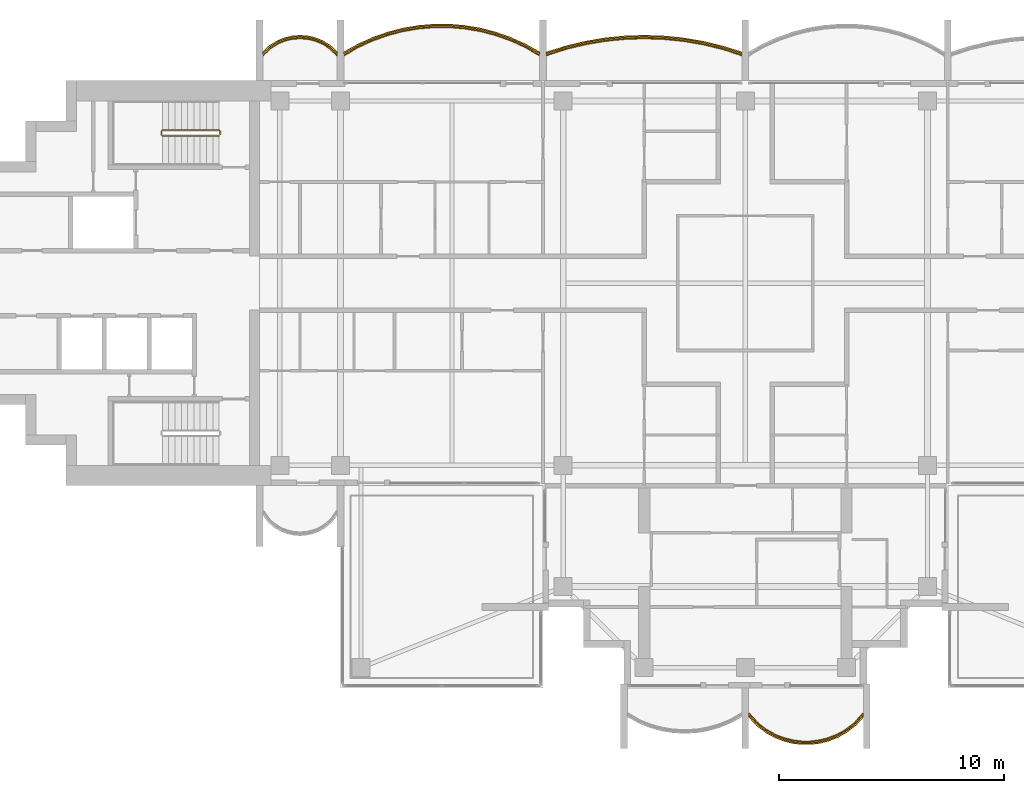
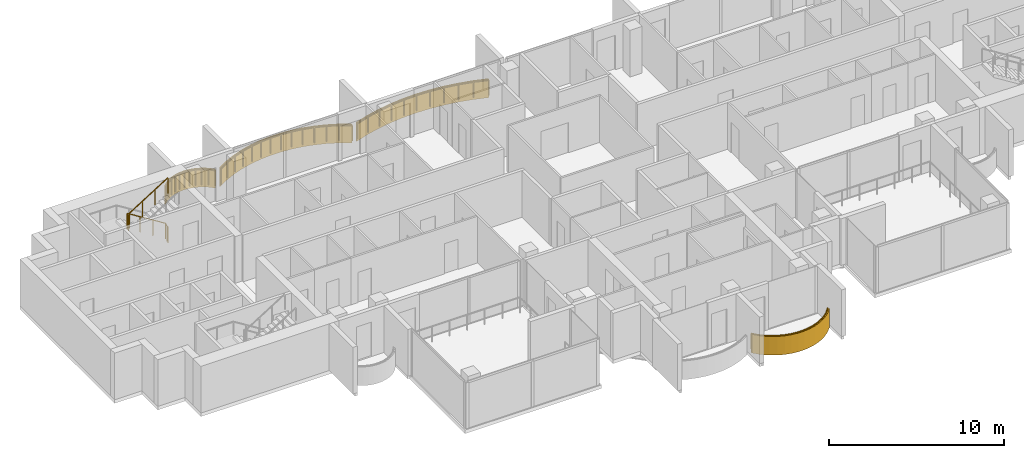
# One storey, part 14 of 16: 5 railings, 4 coverings.
"""IFC4 building model written with IfcOpenShell, lengths in metres."""

from ifc_helpers import new_model, si_unit, direction, frame, origin, origin_2d, place, context, subcontext, project, spatial, polyline, rectangle, outline, extrude, material, layer, layer_set, type_object, element, save


model = new_model("IFC4")

# Units and contexts
model_context = context("Model", 3, precision=1e-05, world=origin(), true_north=direction((0.0, 1.0)))
body_context = subcontext(model_context, "Body", "Model", "MODEL_VIEW")
ifc_project = project(units=[si_unit("LENGTHUNIT", "METRE"), si_unit("AREAUNIT", "SQUARE_METRE"), si_unit("VOLUMEUNIT", "CUBIC_METRE"), si_unit("PLANEANGLEUNIT", "RADIAN"), si_unit("MASSUNIT", "GRAM", prefix="KILO")], contexts=[model_context])

# Site, building, storey
site_placement = place(None, origin())
site = spatial("IfcSite", under=ifc_project, at=site_placement, CompositionType="ELEMENT")
building_placement = place(site_placement, origin())
building = spatial("IfcBuilding", under=site, at=building_placement, Name="Perihelion Cross Residences", CompositionType="ELEMENT")
storey_placement = place(building_placement, frame((0.0, 0.0, 236.0)))
storey = spatial("IfcBuildingStorey", under=building, at=storey_placement, Name="L59", CompositionType="ELEMENT", Elevation=236.0)

# Coverings
ifc_material_1 = material(Name="Bronze anodised aluminium", Category="aluminium")
ifc_layer = layer(ifc_material_1, 0.070068359375)
ifc_layer_set = layer_set([ifc_layer], Name="Balcony fascia 1300")
covering_type = type_object("IfcCoveringType", Name="Balcony fascia 1300", PredefinedType="CLADDING", material=ifc_layer_set)
covering_1_placement = place(storey_placement, frame((0.0, 0.0, -0.199951171875)))
element("IfcCovering", 1, at=covering_1_placement, inside=storey, type_object=covering_type, Name="Fascia BF1 L59 north side east bay 2", PredefinedType="CLADDING", context=body_context, shape_type="SweptSolid", body=[
    extrude(outline(polyline([(-1.001220703125, 10.542724609375), (-1.8759765625, 10.753662109375), (-2.750732421875, 10.90234375), (-3.625244140625, 10.99072265625), (-4.5, 11.02001953125), (-5.374755859375, 10.99072265625), (-6.249267578125, 10.90234375), (-7.1240234375, 10.753662109375), (-7.998779296875, 10.542724609375), (-8.85009765625, 10.2734375), (-8.85009765625, 10.199951171875), (-7.97998046875, 10.47509765625), (-7.110107421875, 10.68505859375), (-6.239990234375, 10.8330078125), (-5.3701171875, 10.9208984375), (-4.5, 10.949951171875), (-3.6298828125, 10.9208984375), (-2.760009765625, 10.8330078125), (-1.889892578125, 10.68505859375), (-1.02001953125, 10.47509765625), (-0.14990234375, 10.199951171875), (-0.14990234375, 10.2734375), (-1.001220703125, 10.542724609375)])), origin(), (0.0, 0.0, 1.0), 1.300048828125),
])
covering_2_placement = place(storey_placement, frame((0.0, 0.0, -0.199951171875)))
element("IfcCovering", 2, at=covering_2_placement, inside=storey, type_object=covering_type, Name="Fascia BF1 L59 west side north bay 1", PredefinedType="CLADDING", context=body_context, shape_type="SweptSolid", body=[
    extrude(outline(polyline([(-9.787841796875, 10.63916015625), (-10.462646484375, 10.941650390625), (-11.1376953125, 11.175048828125), (-11.8125, 11.345947265625), (-12.487548828125, 11.457763671875), (-13.16259765625, 11.51318359375), (-13.83740234375, 11.51318359375), (-14.512451171875, 11.457763671875), (-15.1875, 11.345947265625), (-15.8623046875, 11.175048828125), (-16.537353515625, 10.941650390625), (-17.212158203125, 10.63916015625), (-17.85009765625, 10.2802734375), (-17.85009765625, 10.199951171875), (-17.1806640625, 10.57666015625), (-16.511474609375, 10.87646484375), (-15.84228515625, 11.108154296875), (-15.173095703125, 11.27734375), (-14.50390625, 11.38818359375), (-13.834716796875, 11.443115234375), (-13.165283203125, 11.443115234375), (-12.49609375, 11.38818359375), (-11.826904296875, 11.27734375), (-11.15771484375, 11.108154296875), (-10.488525390625, 10.87646484375), (-9.8193359375, 10.57666015625), (-9.14990234375, 10.199951171875), (-9.14990234375, 10.2802734375), (-9.787841796875, 10.63916015625)])), origin(), (0.0, 0.0, 1.0), 1.300048828125),
])
covering_3_placement = place(storey_placement, frame((0.0, 0.0, -0.199951171875)))
element("IfcCovering", 3, at=covering_3_placement, inside=storey, type_object=covering_type, Name="Fascia BF1 L59 west side north bay 2", PredefinedType="CLADDING", context=body_context, shape_type="SweptSolid", body=[
    extrude(outline(polyline([(-18.4375, 10.56298828125), (-18.778076171875, 10.77587890625), (-19.11865234375, 10.914794921875), (-19.45947265625, 10.994140625), (-19.800048828125, 11.02001953125), (-20.140625, 10.994140625), (-20.481201171875, 10.914794921875), (-20.82177734375, 10.77587890625), (-21.16259765625, 10.56298828125), (-21.449951171875, 10.295654296875), (-21.449951171875, 10.199951171875), (-21.1201171875, 10.507568359375), (-20.7900390625, 10.71337890625), (-20.4599609375, 10.84814453125), (-20.1298828125, 10.925048828125), (-19.800048828125, 10.949951171875), (-19.469970703125, 10.925048828125), (-19.139892578125, 10.84814453125), (-18.81005859375, 10.71337890625), (-18.47998046875, 10.507568359375), (-18.14990234375, 10.199951171875), (-18.14990234375, 10.295654296875), (-18.4375, 10.56298828125)])), origin(), (0.0, 0.0, 1.0), 1.300048828125),
])
covering_4_placement = place(storey_placement, frame((0.0, 0.0, -0.199951171875)))
element("IfcCovering", 4, at=covering_4_placement, inside=storey, type_object=covering_type, Name="Fascia BF1 L59 south tip south bay 2", PredefinedType="CLADDING", context=body_context, shape_type="SweptSolid", body=[
    extrude(outline(polyline([(0.4951171875, -19.674072265625), (0.89599609375, -19.982666015625), (1.296875, -20.20654296875), (1.69775390625, -20.364013671875), (2.0986328125, -20.464599609375), (2.49951171875, -20.513916015625), (2.900390625, -20.513916015625), (3.30126953125, -20.464599609375), (3.7021484375, -20.364013671875), (4.10302734375, -20.20654296875), (4.50390625, -19.982666015625), (4.90478515625, -19.674072265625), (5.25, -19.302734375), (5.25, -19.199951171875), (4.857666015625, -19.622314453125), (4.46533203125, -19.924072265625), (4.072998046875, -20.143310546875), (3.6806640625, -20.29736328125), (3.28857421875, -20.39599609375), (2.896240234375, -20.444091796875), (2.50390625, -20.444091796875), (2.111572265625, -20.39599609375), (1.71923828125, -20.29736328125), (1.326904296875, -20.143310546875), (0.9345703125, -19.924072265625), (0.542236328125, -19.622314453125), (0.14990234375, -19.199951171875), (0.14990234375, -19.302734375), (0.4951171875, -19.674072265625)])), origin(), (0.0, 0.0, 1.0), 1.300048828125),
])

# Railings
ifc_material_2 = material(Name="Bronze anodised aluminium", Category="aluminium")
railing_type_1 = type_object("IfcRailingType", Name="Balcony guard 1100", PredefinedType="GUARDRAIL", material=ifc_material_2)
railing_1_placement = place(storey_placement, frame((-0.175048828125, 10.139892578125, 0.0)))
element("IfcRailing", 5, at=railing_1_placement, inside=storey, type_object=railing_type_1, Name="Guard GU1 L59 north side east bay 2 balcony", PredefinedType="GUARDRAIL", context=body_context, shape_type="SweptSolid", body=[
    extrude(rectangle(XDim=0.048095703125, YDim=0.048095703125, at=origin_2d()), frame((0.0, 0.0, 1.076171875), z_axis=(-0.950777354264, 0.30987484993, 0.0), x_axis=(-0.30987484993, -0.950777354264, 0.0)), (0.0, 0.0, 1.0), 0.888671875),
    extrude(rectangle(XDim=0.048095703125, YDim=0.048095703125, at=origin_2d()), frame((-0.844970703125, 0.275390625, 1.076171875), z_axis=(-0.972146551129, 0.234373810671, 0.0), x_axis=(-0.234373810671, -0.972146551129, 0.0)), (0.0, 0.0, 1.0), 0.894775390625),
    extrude(rectangle(XDim=0.048095703125, YDim=0.048095703125, at=origin_2d()), frame((-1.71484375, 0.485107421875, 1.076171875), z_axis=(-0.985850361727, 0.167627755108, 0.0), x_axis=(-0.167627755108, -0.985850361727, 0.0)), (0.0, 0.0, 1.0), 0.882568359375),
    extrude(rectangle(XDim=0.048095703125, YDim=0.048095703125, at=origin_2d()), frame((-2.5849609375, 0.633056640625, 1.076171875), z_axis=(-0.994934368303, 0.100526627165, 0.0), x_axis=(-0.100526627165, -0.994934368303, 0.0)), (0.0, 0.0, 1.0), 0.874267578125),
    extrude(rectangle(XDim=0.048095703125, YDim=0.048095703125, at=origin_2d()), frame((-3.454833984375, 0.720947265625, 1.076171875), z_axis=(-0.999443037968, 0.0333708534, 0.0), x_axis=(-0.0333708534, -0.999443037968, 0.0)), (0.0, 0.0, 1.0), 0.87060546875),
    extrude(rectangle(XDim=0.048095703125, YDim=0.048095703125, at=origin_2d()), frame((-4.324951171875, 0.75, 1.076171875), z_axis=(-0.999443037968, -0.0333708534, 0.0), x_axis=(0.0333708534, -0.999443037968, 0.0)), (0.0, 0.0, 1.0), 0.87060546875),
    extrude(rectangle(XDim=0.048095703125, YDim=0.048095703125, at=origin_2d()), frame((-5.195068359375, 0.720947265625, 1.076171875), z_axis=(-0.994934368303, -0.100526627165, 0.0), x_axis=(0.100526627165, -0.994934368303, 0.0)), (0.0, 0.0, 1.0), 0.874267578125),
    extrude(rectangle(XDim=0.048095703125, YDim=0.048095703125, at=origin_2d()), frame((-6.06494140625, 0.633056640625, 1.076171875), z_axis=(-0.985850361727, -0.167627755108, 0.0), x_axis=(0.167627755108, -0.985850361727, 0.0)), (0.0, 0.0, 1.0), 0.882568359375),
    extrude(rectangle(XDim=0.048095703125, YDim=0.048095703125, at=origin_2d()), frame((-6.93505859375, 0.485107421875, 1.076171875), z_axis=(-0.972146551129, -0.234373810671, 0.0), x_axis=(0.234373810671, -0.972146551129, 0.0)), (0.0, 0.0, 1.0), 0.894775390625),
    extrude(rectangle(XDim=0.048095703125, YDim=0.048095703125, at=origin_2d()), frame((-7.804931640625, 0.275390625, 1.076171875), z_axis=(-0.950777354264, -0.30987484993, 0.0), x_axis=(0.30987484993, -0.950777354264, 0.0)), (0.0, 0.0, 1.0), 0.888671875),
    extrude(rectangle(XDim=0.0419921875, YDim=0.0419921875, at=origin_2d()), origin(), (0.0, 0.0, 1.0), 1.052001953125),
    extrude(rectangle(XDim=0.0419921875, YDim=0.0419921875, at=origin_2d()), frame((-0.844970703125, 0.275390625, 0.0)), (0.0, 0.0, 1.0), 1.052001953125),
    extrude(rectangle(XDim=0.0419921875, YDim=0.0419921875, at=origin_2d()), frame((-1.71484375, 0.485107421875, 0.0)), (0.0, 0.0, 1.0), 1.052001953125),
    extrude(rectangle(XDim=0.0419921875, YDim=0.0419921875, at=origin_2d()), frame((-2.5849609375, 0.633056640625, 0.0)), (0.0, 0.0, 1.0), 1.052001953125),
    extrude(rectangle(XDim=0.0419921875, YDim=0.0419921875, at=origin_2d()), frame((-3.454833984375, 0.720947265625, 0.0)), (0.0, 0.0, 1.0), 1.052001953125),
    extrude(rectangle(XDim=0.0419921875, YDim=0.0419921875, at=origin_2d()), frame((-4.324951171875, 0.75, 0.0)), (0.0, 0.0, 1.0), 1.052001953125),
    extrude(rectangle(XDim=0.0419921875, YDim=0.0419921875, at=origin_2d()), frame((-5.195068359375, 0.720947265625, 0.0)), (0.0, 0.0, 1.0), 1.052001953125),
    extrude(rectangle(XDim=0.0419921875, YDim=0.0419921875, at=origin_2d()), frame((-6.06494140625, 0.633056640625, 0.0)), (0.0, 0.0, 1.0), 1.052001953125),
    extrude(rectangle(XDim=0.0419921875, YDim=0.0419921875, at=origin_2d()), frame((-6.93505859375, 0.485107421875, 0.0)), (0.0, 0.0, 1.0), 1.052001953125),
    extrude(rectangle(XDim=0.0419921875, YDim=0.0419921875, at=origin_2d()), frame((-7.804931640625, 0.275390625, 0.0)), (0.0, 0.0, 1.0), 1.052001953125),
    extrude(rectangle(XDim=0.0419921875, YDim=0.0419921875, at=origin_2d()), frame((-8.64990234375, 0.0, 0.0)), (0.0, 0.0, 1.0), 1.052001953125),
])
railing_2_placement = place(storey_placement, frame((-9.175048828125, 10.139892578125, 0.0)))
element("IfcRailing", 6, at=railing_2_placement, inside=storey, type_object=railing_type_1, Name="Guard GU1 L59 west side north bay 1 balcony", PredefinedType="GUARDRAIL", context=body_context, shape_type="SweptSolid", body=[
    extrude(rectangle(XDim=0.048095703125, YDim=0.048095703125, at=origin_2d()), frame((0.0, 0.0, 1.076171875), z_axis=(-0.863125740505, 0.504989065305, 0.0), x_axis=(-0.504989065305, -0.863125740505, 0.0)), (0.0, 0.0, 1.0), 0.746337890625),
    extrude(rectangle(XDim=0.048095703125, YDim=0.048095703125, at=origin_2d()), frame((-0.644287109375, 0.376953125, 1.076171875), z_axis=(-0.912723499295, 0.408577794103, 0.0), x_axis=(-0.408577794103, -0.912723499295, 0.0)), (0.0, 0.0, 1.0), 0.733154296875),
    extrude(rectangle(XDim=0.048095703125, YDim=0.048095703125, at=origin_2d()), frame((-1.3134765625, 0.676513671875, 1.076171875), z_axis=(-0.944965577734, 0.327169767701, 0.0), x_axis=(-0.327169767701, -0.944965577734, 0.0)), (0.0, 0.0, 1.0), 0.708251953125),
    extrude(rectangle(XDim=0.048095703125, YDim=0.048095703125, at=origin_2d()), frame((-1.982666015625, 0.908203125, 1.076171875), z_axis=(-0.96949408574, 0.245114703181, 0.0), x_axis=(-0.245114703181, -0.96949408574, 0.0)), (0.0, 0.0, 1.0), 0.690185546875),
    extrude(rectangle(XDim=0.048095703125, YDim=0.048095703125, at=origin_2d()), frame((-2.65185546875, 1.077392578125, 1.076171875), z_axis=(-0.986500713816, 0.163756959061, 0.0), x_axis=(-0.163756959061, -0.986500713816, 0.0)), (0.0, 0.0, 1.0), 0.678466796875),
    extrude(rectangle(XDim=0.048095703125, YDim=0.048095703125, at=origin_2d()), frame((-3.321044921875, 1.1884765625, 1.076171875), z_axis=(-0.996677390684, 0.081450468994, 0.0), x_axis=(-0.081450468994, -0.996677390684, 0.0)), (0.0, 0.0, 1.0), 0.67138671875),
    extrude(rectangle(XDim=0.048095703125, YDim=0.048095703125, at=origin_2d()), frame((-3.990234375, 1.2431640625, 1.076171875), z_axis=(-1.0, 0.0, 0.0), x_axis=(0.0, -1.0, 0.0)), (0.0, 0.0, 1.0), 0.66943359375),
    extrude(rectangle(XDim=0.048095703125, YDim=0.048095703125, at=origin_2d()), frame((-4.65966796875, 1.2431640625, 1.076171875), z_axis=(-0.996677390684, -0.081450468994, 0.0), x_axis=(0.081450468994, -0.996677390684, 0.0)), (0.0, 0.0, 1.0), 0.67138671875),
    extrude(rectangle(XDim=0.048095703125, YDim=0.048095703125, at=origin_2d()), frame((-5.328857421875, 1.1884765625, 1.076171875), z_axis=(-0.986500713816, -0.163756959061, 0.0), x_axis=(0.163756959061, -0.986500713816, 0.0)), (0.0, 0.0, 1.0), 0.678466796875),
    extrude(rectangle(XDim=0.048095703125, YDim=0.048095703125, at=origin_2d()), frame((-5.998046875, 1.077392578125, 1.076171875), z_axis=(-0.96949408574, -0.245114703181, 0.0), x_axis=(0.245114703181, -0.96949408574, 0.0)), (0.0, 0.0, 1.0), 0.690185546875),
    extrude(rectangle(XDim=0.048095703125, YDim=0.048095703125, at=origin_2d()), frame((-6.667236328125, 0.908203125, 1.076171875), z_axis=(-0.944965577734, -0.327169767701, 0.0), x_axis=(0.327169767701, -0.944965577734, 0.0)), (0.0, 0.0, 1.0), 0.708251953125),
    extrude(rectangle(XDim=0.048095703125, YDim=0.048095703125, at=origin_2d()), frame((-7.33642578125, 0.676513671875, 1.076171875), z_axis=(-0.912723499295, -0.408577794103, 0.0), x_axis=(0.408577794103, -0.912723499295, 0.0)), (0.0, 0.0, 1.0), 0.733154296875),
    extrude(rectangle(XDim=0.048095703125, YDim=0.048095703125, at=origin_2d()), frame((-8.005615234375, 0.376953125, 1.076171875), z_axis=(-0.863125740505, -0.504989065305, 0.0), x_axis=(0.504989065305, -0.863125740505, 0.0)), (0.0, 0.0, 1.0), 0.746337890625),
    extrude(rectangle(XDim=0.0419921875, YDim=0.0419921875, at=origin_2d()), origin(), (0.0, 0.0, 1.0), 1.052001953125),
    extrude(rectangle(XDim=0.0419921875, YDim=0.0419921875, at=origin_2d()), frame((-0.644287109375, 0.376953125, 0.0)), (0.0, 0.0, 1.0), 1.052001953125),
    extrude(rectangle(XDim=0.0419921875, YDim=0.0419921875, at=origin_2d()), frame((-1.3134765625, 0.676513671875, 0.0)), (0.0, 0.0, 1.0), 1.052001953125),
    extrude(rectangle(XDim=0.0419921875, YDim=0.0419921875, at=origin_2d()), frame((-1.982666015625, 0.908203125, 0.0)), (0.0, 0.0, 1.0), 1.052001953125),
    extrude(rectangle(XDim=0.0419921875, YDim=0.0419921875, at=origin_2d()), frame((-2.65185546875, 1.077392578125, 0.0)), (0.0, 0.0, 1.0), 1.052001953125),
    extrude(rectangle(XDim=0.0419921875, YDim=0.0419921875, at=origin_2d()), frame((-3.321044921875, 1.1884765625, 0.0)), (0.0, 0.0, 1.0), 1.052001953125),
    extrude(rectangle(XDim=0.0419921875, YDim=0.0419921875, at=origin_2d()), frame((-3.990234375, 1.2431640625, 0.0)), (0.0, 0.0, 1.0), 1.052001953125),
    extrude(rectangle(XDim=0.0419921875, YDim=0.0419921875, at=origin_2d()), frame((-4.65966796875, 1.2431640625, 0.0)), (0.0, 0.0, 1.0), 1.052001953125),
    extrude(rectangle(XDim=0.0419921875, YDim=0.0419921875, at=origin_2d()), frame((-5.328857421875, 1.1884765625, 0.0)), (0.0, 0.0, 1.0), 1.052001953125),
    extrude(rectangle(XDim=0.0419921875, YDim=0.0419921875, at=origin_2d()), frame((-5.998046875, 1.077392578125, 0.0)), (0.0, 0.0, 1.0), 1.052001953125),
    extrude(rectangle(XDim=0.0419921875, YDim=0.0419921875, at=origin_2d()), frame((-6.667236328125, 0.908203125, 0.0)), (0.0, 0.0, 1.0), 1.052001953125),
    extrude(rectangle(XDim=0.0419921875, YDim=0.0419921875, at=origin_2d()), frame((-7.33642578125, 0.676513671875, 0.0)), (0.0, 0.0, 1.0), 1.052001953125),
    extrude(rectangle(XDim=0.0419921875, YDim=0.0419921875, at=origin_2d()), frame((-8.005615234375, 0.376953125, 0.0)), (0.0, 0.0, 1.0), 1.052001953125),
    extrude(rectangle(XDim=0.0419921875, YDim=0.0419921875, at=origin_2d()), frame((-8.64990234375, 0.0, 0.0)), (0.0, 0.0, 1.0), 1.052001953125),
])
railing_3_placement = place(storey_placement, frame((-18.175048828125, 10.139892578125, 0.0)))
element("IfcRailing", 7, at=railing_3_placement, inside=storey, type_object=railing_type_1, Name="Guard GU1 L59 west side north bay 2 balcony", PredefinedType="GUARDRAIL", context=body_context, shape_type="SweptSolid", body=[
    extrude(rectangle(XDim=0.048095703125, YDim=0.048095703125, at=origin_2d()), frame((0.0, 0.0, 1.076171875), z_axis=(-0.703999905859, 0.710200065158, 0.0), x_axis=(-0.710200065158, -0.703999905859, 0.0)), (0.0, 0.0, 1.0), 0.43310546875),
    extrude(rectangle(XDim=0.048095703125, YDim=0.048095703125, at=origin_2d()), frame((-0.304931640625, 0.3076171875, 1.076171875), z_axis=(-0.848280173265, 0.529547682127, 0.0), x_axis=(-0.529547682127, -0.848280173265, 0.0)), (0.0, 0.0, 1.0), 0.38916015625),
    extrude(rectangle(XDim=0.048095703125, YDim=0.048095703125, at=origin_2d()), frame((-0.635009765625, 0.513671875, 1.076171875), z_axis=(-0.925950379976, 0.377645195682, 0.0), x_axis=(-0.377645195682, -0.925950379976, 0.0)), (0.0, 0.0, 1.0), 0.356201171875),
    extrude(rectangle(XDim=0.048095703125, YDim=0.048095703125, at=origin_2d()), frame((-0.96484375, 0.648193359375, 1.076171875), z_axis=(-0.97391554583, 0.226910796551, 0.0), x_axis=(-0.226910796551, -0.97391554583, 0.0)), (0.0, 0.0, 1.0), 0.3388671875),
    extrude(rectangle(XDim=0.048095703125, YDim=0.048095703125, at=origin_2d()), frame((-1.294921875, 0.72509765625, 1.076171875), z_axis=(-0.997166208737, 0.075229995038, 0.0), x_axis=(-0.075229995038, -0.997166208737, 0.0)), (0.0, 0.0, 1.0), 0.3310546875),
    extrude(rectangle(XDim=0.048095703125, YDim=0.048095703125, at=origin_2d()), frame((-1.625, 0.75, 1.076171875), z_axis=(-0.997162029931, -0.075285364214, 0.0), x_axis=(0.075285364214, -0.997162029931, 0.0)), (0.0, 0.0, 1.0), 0.330810546875),
    extrude(rectangle(XDim=0.048095703125, YDim=0.048095703125, at=origin_2d()), frame((-1.954833984375, 0.72509765625, 1.076171875), z_axis=(-0.97391554583, -0.226910796551, 0.0), x_axis=(0.226910796551, -0.97391554583, 0.0)), (0.0, 0.0, 1.0), 0.3388671875),
    extrude(rectangle(XDim=0.048095703125, YDim=0.048095703125, at=origin_2d()), frame((-2.284912109375, 0.648193359375, 1.076171875), z_axis=(-0.926048033295, -0.377405670374, 0.0), x_axis=(0.377405670374, -0.926048033295, 0.0)), (0.0, 0.0, 1.0), 0.3564453125),
    extrude(rectangle(XDim=0.048095703125, YDim=0.048095703125, at=origin_2d()), frame((-2.614990234375, 0.513671875, 1.076171875), z_axis=(-0.848280173265, -0.529547682127, 0.0), x_axis=(0.529547682127, -0.848280173265, 0.0)), (0.0, 0.0, 1.0), 0.38916015625),
    extrude(rectangle(XDim=0.048095703125, YDim=0.048095703125, at=origin_2d()), frame((-2.945068359375, 0.3076171875, 1.076171875), z_axis=(-0.703999905859, -0.710200065158, 0.0), x_axis=(0.710200065158, -0.703999905859, 0.0)), (0.0, 0.0, 1.0), 0.43310546875),
    extrude(rectangle(XDim=0.0419921875, YDim=0.0419921875, at=origin_2d()), origin(), (0.0, 0.0, 1.0), 1.052001953125),
    extrude(rectangle(XDim=0.0419921875, YDim=0.0419921875, at=origin_2d()), frame((-0.304931640625, 0.3076171875, 0.0)), (0.0, 0.0, 1.0), 1.052001953125),
    extrude(rectangle(XDim=0.0419921875, YDim=0.0419921875, at=origin_2d()), frame((-0.635009765625, 0.513671875, 0.0)), (0.0, 0.0, 1.0), 1.052001953125),
    extrude(rectangle(XDim=0.0419921875, YDim=0.0419921875, at=origin_2d()), frame((-0.96484375, 0.648193359375, 0.0)), (0.0, 0.0, 1.0), 1.052001953125),
    extrude(rectangle(XDim=0.0419921875, YDim=0.0419921875, at=origin_2d()), frame((-1.294921875, 0.72509765625, 0.0)), (0.0, 0.0, 1.0), 1.052001953125),
    extrude(rectangle(XDim=0.0419921875, YDim=0.0419921875, at=origin_2d()), frame((-1.625, 0.75, 0.0)), (0.0, 0.0, 1.0), 1.052001953125),
    extrude(rectangle(XDim=0.0419921875, YDim=0.0419921875, at=origin_2d()), frame((-1.954833984375, 0.72509765625, 0.0)), (0.0, 0.0, 1.0), 1.052001953125),
    extrude(rectangle(XDim=0.0419921875, YDim=0.0419921875, at=origin_2d()), frame((-2.284912109375, 0.648193359375, 0.0)), (0.0, 0.0, 1.0), 1.052001953125),
    extrude(rectangle(XDim=0.0419921875, YDim=0.0419921875, at=origin_2d()), frame((-2.614990234375, 0.513671875, 0.0)), (0.0, 0.0, 1.0), 1.052001953125),
    extrude(rectangle(XDim=0.0419921875, YDim=0.0419921875, at=origin_2d()), frame((-2.945068359375, 0.3076171875, 0.0)), (0.0, 0.0, 1.0), 1.052001953125),
    extrude(rectangle(XDim=0.0419921875, YDim=0.0419921875, at=origin_2d()), frame((-3.25, 0.0, 0.0)), (0.0, 0.0, 1.0), 1.052001953125),
])
railing_4_placement = place(storey_placement, frame((0.175048828125, -19.139892578125, 0.0)))
element("IfcRailing", 8, at=railing_4_placement, inside=storey, type_object=railing_type_1, Name="Guard GU1 L59 south tip south bay 2 balcony", PredefinedType="GUARDRAIL", context=body_context, shape_type="SweptSolid", body=[
    extrude(rectangle(XDim=0.048095703125, YDim=0.048095703125, at=origin_2d()), frame((0.0, 0.0, 1.076171875), z_axis=(0.656092309534, -0.754680648599, 0.0), x_axis=(0.754680648599, 0.656092309534, 0.0)), (0.0, 0.0, 1.0), 0.5595703125),
    extrude(rectangle(XDim=0.048095703125, YDim=0.048095703125, at=origin_2d()), frame((0.3671875, -0.42236328125, 1.076171875), z_axis=(0.792660660899, -0.60966308455, 0.0), x_axis=(0.60966308455, 0.792660660899, 0.0)), (0.0, 0.0, 1.0), 0.494873046875),
    extrude(rectangle(XDim=0.048095703125, YDim=0.048095703125, at=origin_2d()), frame((0.759521484375, -0.72412109375, 1.076171875), z_axis=(0.872950285698, -0.487809182674, 0.0), x_axis=(0.487809182674, 0.872950285698, 0.0)), (0.0, 0.0, 1.0), 0.449462890625),
    extrude(rectangle(XDim=0.048095703125, YDim=0.048095703125, at=origin_2d()), frame((1.15185546875, -0.943359375, 1.076171875), z_axis=(0.930814842219, -0.365491079925, 0.0), x_axis=(0.365491079925, 0.930814842219, 0.0)), (0.0, 0.0, 1.0), 0.42138671875),
    extrude(rectangle(XDim=0.048095703125, YDim=0.048095703125, at=origin_2d()), frame((1.544189453125, -1.097412109375, 1.076171875), z_axis=(0.969822159145, -0.243813411509, 0.0), x_axis=(0.243813411509, 0.969822159145, 0.0)), (0.0, 0.0, 1.0), 0.404541015625),
    extrude(rectangle(XDim=0.048095703125, YDim=0.048095703125, at=origin_2d()), frame((1.9365234375, -1.196044921875, 1.076171875), z_axis=(0.992569651699, -0.121677797999, 0.0), x_axis=(0.121677797999, 0.992569651699, 0.0)), (0.0, 0.0, 1.0), 0.395263671875),
    extrude(rectangle(XDim=0.048095703125, YDim=0.048095703125, at=origin_2d()), frame((2.328857421875, -1.244140625, 1.076171875), z_axis=(1.0, 0.0, 0.0), x_axis=(0.0, 1.0, 0.0)), (0.0, 0.0, 1.0), 0.392333984375),
    extrude(rectangle(XDim=0.048095703125, YDim=0.048095703125, at=origin_2d()), frame((2.72119140625, -1.244140625, 1.076171875), z_axis=(0.992569651699, 0.121677797999, 0.0), x_axis=(-0.121677797999, 0.992569651699, 0.0)), (0.0, 0.0, 1.0), 0.395263671875),
    extrude(rectangle(XDim=0.048095703125, YDim=0.048095703125, at=origin_2d()), frame((3.113525390625, -1.196044921875, 1.076171875), z_axis=(0.969786252666, 0.243956193074, 0.0), x_axis=(-0.243956193074, 0.969786252666, 0.0)), (0.0, 0.0, 1.0), 0.404296875),
    extrude(rectangle(XDim=0.048095703125, YDim=0.048095703125, at=origin_2d()), frame((3.505615234375, -1.097412109375, 1.076171875), z_axis=(0.930814842219, 0.365491079925, 0.0), x_axis=(-0.365491079925, 0.930814842219, 0.0)), (0.0, 0.0, 1.0), 0.42138671875),
    extrude(rectangle(XDim=0.048095703125, YDim=0.048095703125, at=origin_2d()), frame((3.89794921875, -0.943359375, 1.076171875), z_axis=(0.872950285698, 0.487809182674, 0.0), x_axis=(-0.487809182674, 0.872950285698, 0.0)), (0.0, 0.0, 1.0), 0.449462890625),
    extrude(rectangle(XDim=0.048095703125, YDim=0.048095703125, at=origin_2d()), frame((4.290283203125, -0.72412109375, 1.076171875), z_axis=(0.792660660899, 0.60966308455, 0.0), x_axis=(-0.60966308455, 0.792660660899, 0.0)), (0.0, 0.0, 1.0), 0.494873046875),
    extrude(rectangle(XDim=0.048095703125, YDim=0.048095703125, at=origin_2d()), frame((4.6826171875, -0.42236328125, 1.076171875), z_axis=(0.656340655493, 0.754464673757, 0.0), x_axis=(-0.754464673757, 0.656340655493, 0.0)), (0.0, 0.0, 1.0), 0.559814453125),
    extrude(rectangle(XDim=0.0419921875, YDim=0.0419921875, at=origin_2d()), origin(), (0.0, 0.0, 1.0), 1.052001953125),
    extrude(rectangle(XDim=0.0419921875, YDim=0.0419921875, at=origin_2d()), frame((0.3671875, -0.42236328125, 0.0)), (0.0, 0.0, 1.0), 1.052001953125),
    extrude(rectangle(XDim=0.0419921875, YDim=0.0419921875, at=origin_2d()), frame((0.759521484375, -0.72412109375, 0.0)), (0.0, 0.0, 1.0), 1.052001953125),
    extrude(rectangle(XDim=0.0419921875, YDim=0.0419921875, at=origin_2d()), frame((1.15185546875, -0.943359375, 0.0)), (0.0, 0.0, 1.0), 1.052001953125),
    extrude(rectangle(XDim=0.0419921875, YDim=0.0419921875, at=origin_2d()), frame((1.544189453125, -1.097412109375, 0.0)), (0.0, 0.0, 1.0), 1.052001953125),
    extrude(rectangle(XDim=0.0419921875, YDim=0.0419921875, at=origin_2d()), frame((1.9365234375, -1.196044921875, 0.0)), (0.0, 0.0, 1.0), 1.052001953125),
    extrude(rectangle(XDim=0.0419921875, YDim=0.0419921875, at=origin_2d()), frame((2.328857421875, -1.244140625, 0.0)), (0.0, 0.0, 1.0), 1.052001953125),
    extrude(rectangle(XDim=0.0419921875, YDim=0.0419921875, at=origin_2d()), frame((2.72119140625, -1.244140625, 0.0)), (0.0, 0.0, 1.0), 1.052001953125),
    extrude(rectangle(XDim=0.0419921875, YDim=0.0419921875, at=origin_2d()), frame((3.113525390625, -1.196044921875, 0.0)), (0.0, 0.0, 1.0), 1.052001953125),
    extrude(rectangle(XDim=0.0419921875, YDim=0.0419921875, at=origin_2d()), frame((3.505615234375, -1.097412109375, 0.0)), (0.0, 0.0, 1.0), 1.052001953125),
    extrude(rectangle(XDim=0.0419921875, YDim=0.0419921875, at=origin_2d()), frame((3.89794921875, -0.943359375, 0.0)), (0.0, 0.0, 1.0), 1.052001953125),
    extrude(rectangle(XDim=0.0419921875, YDim=0.0419921875, at=origin_2d()), frame((4.290283203125, -0.72412109375, 0.0)), (0.0, 0.0, 1.0), 1.052001953125),
    extrude(rectangle(XDim=0.0419921875, YDim=0.0419921875, at=origin_2d()), frame((4.6826171875, -0.42236328125, 0.0)), (0.0, 0.0, 1.0), 1.052001953125),
    extrude(rectangle(XDim=0.0419921875, YDim=0.0419921875, at=origin_2d()), frame((5.050048828125, 0.0, 0.0)), (0.0, 0.0, 1.0), 1.052001953125),
])
ifc_material_3 = material(Name="Stainless steel", Category="steel")
railing_type_2 = type_object("IfcRailingType", Name="Stair guard 1100", PredefinedType="GUARDRAIL", material=ifc_material_3)
railing_5_placement = place(storey_placement, frame((-23.35009765625, 6.60009765625, 0.0)))
element("IfcRailing", 9, at=railing_5_placement, inside=storey, type_object=railing_type_2, Name="L59 ST-W1 stair guard 1", PredefinedType="GUARDRAIL", context=body_context, shape_type="SweptSolid", body=[
    extrude(rectangle(XDim=0.048095703125, YDim=0.048095703125, at=origin_2d()), frame((0.0, 0.0, 1.076171875), z_axis=(0.0, 1.0, 0.0), x_axis=(-1.0, 0.0, 0.0)), (0.0, 0.0, 1.0), 0.14990234375),
    extrude(rectangle(XDim=0.048095703125, YDim=0.048095703125, at=origin_2d()), frame((0.0, 0.14990234375, 1.076171875), z_axis=(-0.263862480399, 0.265155923931, 0.927399011991), x_axis=(-0.708833529934, -0.705375805398, 0.0)), (0.0, 0.0, 1.0), 0.188720703125),
    extrude(rectangle(XDim=0.048095703125, YDim=0.048095703125, at=origin_2d()), frame((-0.0498046875, 0.199951171875, 1.2509765625), z_axis=(-0.848007534815, 0.0, 0.529984170421), x_axis=(0.0, -1.0, 0.0)), (0.0, 0.0, 1.0), 2.9716796875),
    extrude(rectangle(XDim=0.048095703125, YDim=0.048095703125, at=origin_2d()), frame((-2.56982421875, 0.199951171875, 2.826171875), z_axis=(-0.707106781187, -0.707106781187, 0.0), x_axis=(0.707106781187, -0.707106781187, 0.0)), (0.0, 0.0, 1.0), 0.07080078125),
    extrude(rectangle(XDim=0.048095703125, YDim=0.048095703125, at=origin_2d()), frame((-2.619873046875, 0.14990234375, 2.826171875), z_axis=(0.0, -1.0, 0.0), x_axis=(1.0, 0.0, 0.0)), (0.0, 0.0, 1.0), 0.14990234375),
    extrude(rectangle(XDim=0.048095703125, YDim=0.048095703125, at=origin_2d()), frame((-2.619873046875, 0.0, 2.826171875), z_axis=(0.265065253269, -0.265065253269, 0.927081885822), x_axis=(0.707106781187, 0.707106781187, 0.0)), (0.0, 0.0, 1.0), 0.188720703125),
    extrude(rectangle(XDim=0.048095703125, YDim=0.048095703125, at=origin_2d()), frame((-2.56982421875, -0.050048828125, 3.0009765625), z_axis=(0.848007534815, 0.0, 0.529984170421), x_axis=(0.0, 1.0, 0.0)), (0.0, 0.0, 1.0), 2.9716796875),
    extrude(rectangle(XDim=0.0419921875, YDim=0.0419921875, at=origin_2d()), origin(), (0.0, 0.0, 1.0), 1.052001953125),
    extrude(rectangle(XDim=0.0419921875, YDim=0.0419921875, at=origin_2d()), frame((0.0, 0.14990234375, 0.0)), (0.0, 0.0, 1.0), 1.052001953125),
    extrude(rectangle(XDim=0.0419921875, YDim=0.0419921875, at=origin_2d()), frame((-0.0498046875, 0.199951171875, 0.175048828125)), (0.0, 0.0, 1.0), 1.052001953125),
    extrude(rectangle(XDim=0.0419921875, YDim=0.0419921875, at=origin_2d()), frame((-0.889892578125, 0.199951171875, 0.699951171875)), (0.0, 0.0, 1.0), 1.052001953125),
    extrude(rectangle(XDim=0.0419921875, YDim=0.0419921875, at=origin_2d()), frame((-1.729736328125, 0.199951171875, 1.22509765625)), (0.0, 0.0, 1.0), 1.052001953125),
    extrude(rectangle(XDim=0.0419921875, YDim=0.0419921875, at=origin_2d()), frame((-2.56982421875, 0.199951171875, 1.75)), (0.0, 0.0, 1.0), 1.052001953125),
    extrude(rectangle(XDim=0.0419921875, YDim=0.0419921875, at=origin_2d()), frame((-2.619873046875, 0.14990234375, 1.75)), (0.0, 0.0, 1.0), 1.052001953125),
    extrude(rectangle(XDim=0.0419921875, YDim=0.0419921875, at=origin_2d()), frame((-2.619873046875, 0.0, 1.75)), (0.0, 0.0, 1.0), 1.052001953125),
    extrude(rectangle(XDim=0.0419921875, YDim=0.0419921875, at=origin_2d()), frame((-2.56982421875, -0.050048828125, 1.925048828125)), (0.0, 0.0, 1.0), 1.052001953125),
    extrude(rectangle(XDim=0.0419921875, YDim=0.0419921875, at=origin_2d()), frame((-1.729736328125, -0.050048828125, 2.449951171875)), (0.0, 0.0, 1.0), 1.052001953125),
    extrude(rectangle(XDim=0.0419921875, YDim=0.0419921875, at=origin_2d()), frame((-0.889892578125, -0.050048828125, 2.97509765625)), (0.0, 0.0, 1.0), 1.052001953125),
    extrude(rectangle(XDim=0.0419921875, YDim=0.0419921875, at=origin_2d()), frame((-0.0498046875, -0.050048828125, 3.5)), (0.0, 0.0, 1.0), 1.052001953125),
])

save(model, "model.ifc")
